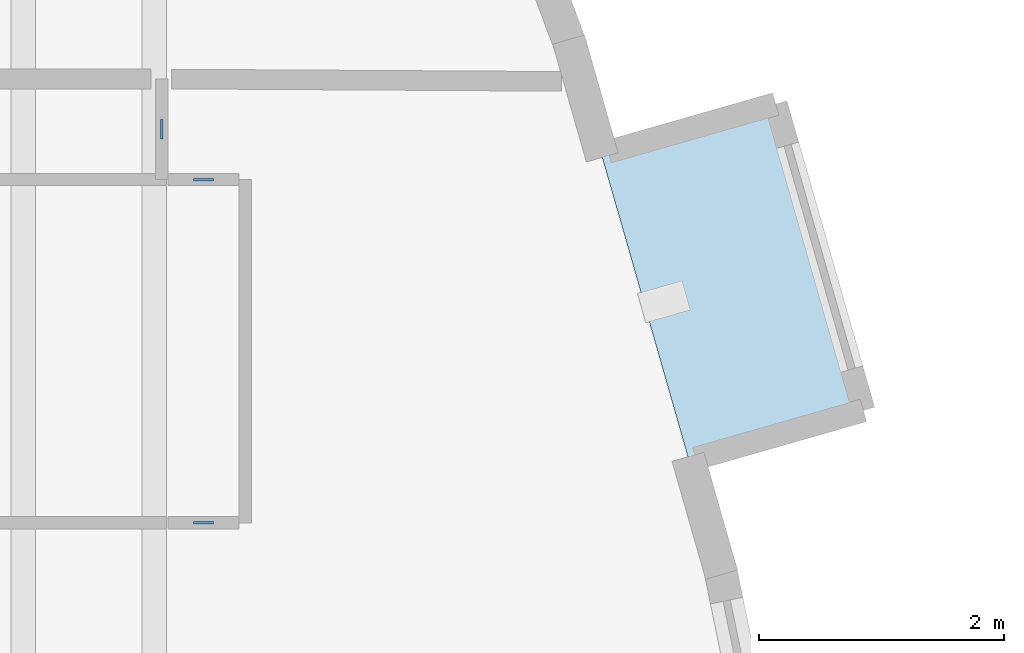
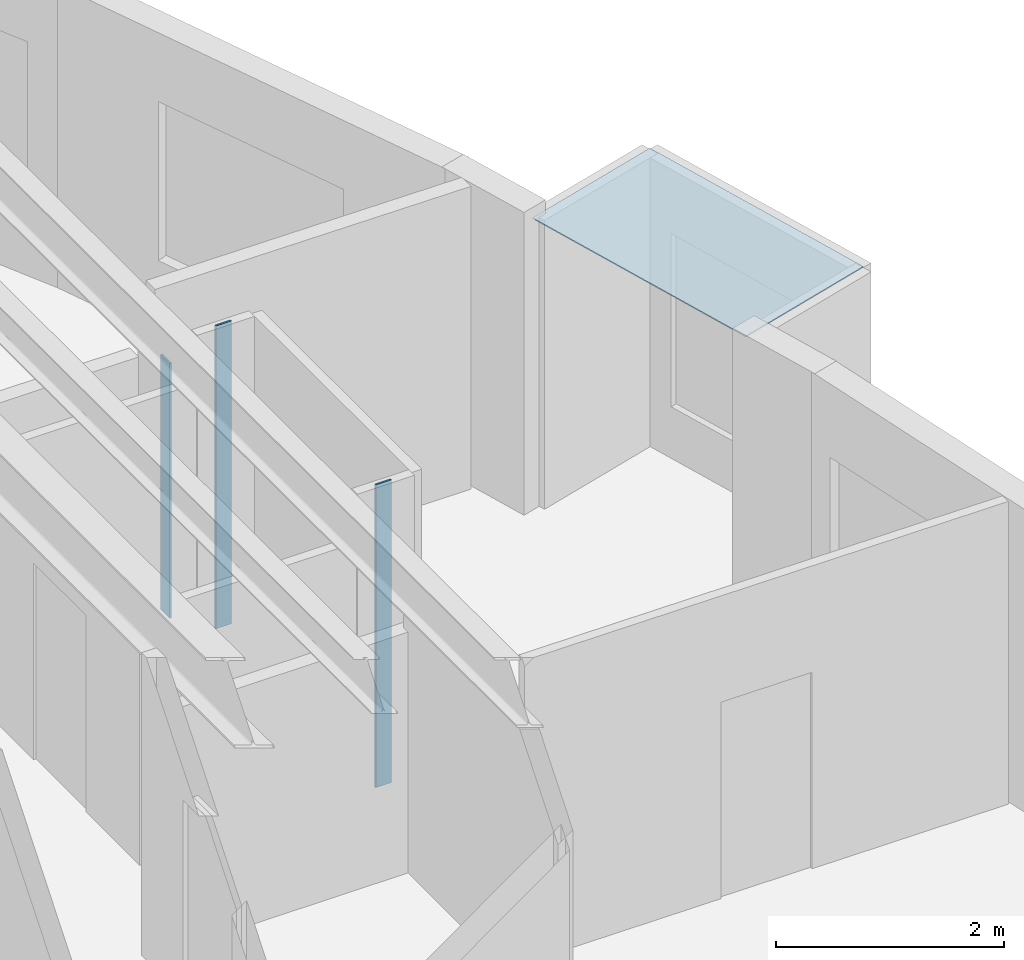
# One storey, part 2 of 9: 4 plates.
"""IFC4 building model written with IfcOpenShell, lengths in metres."""

from ifc_helpers import new_model, si_unit, direction, frame, origin, origin_2d, place, context, subcontext, project, spatial, polyline, rectangle, outline, extrude, material, layer, layer_set, type_object, element, save


model = new_model("IFC4")

# Units and contexts
model_context = context("Model", 3, precision=1e-05, world=origin(), true_north=direction((0.0, 1.0)))
body_context = subcontext(model_context, "Body", "Model", "MODEL_VIEW")
ifc_project = project(units=[si_unit("LENGTHUNIT", "METRE"), si_unit("AREAUNIT", "SQUARE_METRE"), si_unit("VOLUMEUNIT", "CUBIC_METRE"), si_unit("PLANEANGLEUNIT", "RADIAN"), si_unit("MASSUNIT", "GRAM", prefix="KILO")], contexts=[model_context])

# Site, building, storey
site_placement = place(None, origin())
site = spatial("IfcSite", under=ifc_project, at=site_placement, CompositionType="ELEMENT")
building_placement = place(site_placement, origin())
building = spatial("IfcBuilding", under=site, at=building_placement, Name="Miruveldt Soraemaru", CompositionType="ELEMENT")
storey_placement = place(building_placement, frame((0.0, 0.0, 138.89990234375)))
storey = spatial("IfcBuildingStorey", under=building, at=storey_placement, Name="L38", CompositionType="ELEMENT", Elevation=138.89990234375)

# Plates
ifc_material_1 = material(Name="Anodised aluminium EN AW-6063 T6", Category="aluminium")
ifc_layer_1 = layer(ifc_material_1, 0.02001953125, Name="Anodised aluminium EN AW-6063 T6", Category="aluminium")
ifc_layer_set_1 = layer_set([ifc_layer_1], Name="Anodised aluminium EN AW-6063 T6")
plate_type_1 = type_object("IfcPlateType", Name="PLT-PART-TRIM", PredefinedType="SHEET", material=ifc_layer_set_1)
plate_1_placement = place(storey_placement, frame((58.800048828125, 43.590087890625, 0.0), z_axis=(0.0, 0.0, 1.0), x_axis=(0.0, 1.0, 0.0)))
element("IfcPlate", 1, at=plate_1_placement, inside=storey, type_object=plate_type_1, Name="L38 Partition Step Corner Trim Plate 048", PredefinedType="SHEET", context=body_context, shape_type="SweptSolid", body=[
    extrude(rectangle(XDim=0.159912109375, YDim=0.02001953125, at=origin_2d()), origin(), (0.0, 0.0, 1.0), 2.722900390625),
])
for number, where, z_axis, x_axis, name in (
    (2, (59.139892578125, 40.3798828125, 0.0), (0.0, 0.0, 1.0), (1.0, 0.0, 0.0), "L38 Partition Step Corner Trim Plate 049"),
    (3, (59.139892578125, 43.179931640625, 0.0), (0.0, 0.0, 1.0), (-1.0, 0.0, 0.0), "L38 Partition Step Corner Trim Plate 051"),
):
    element("IfcPlate", number, at=place(storey_placement, frame(where, z_axis=z_axis, x_axis=x_axis)), inside=storey, type_object=plate_type_1, Name=name, PredefinedType="SHEET", context=body_context, shape_type="SweptSolid", body=[
        extrude(rectangle(XDim=0.159912109375, YDim=0.02001953125, at=origin_2d()), origin(), (0.0, 0.0, 1.0), 3.235107421875),
    ])
ifc_material_2 = material(Name="Standing-seam titanium-zinc sheet", Category="aluminium")
ifc_layer_2 = layer(ifc_material_2, 0.011962890625, Name="Standing-seam titanium-zinc sheet", Category="aluminium")
ifc_layer_set_2 = layer_set([ifc_layer_2], Name="Standing-seam titanium-zinc sheet")
plate_type_2 = type_object("IfcPlateType", Name="PLT-ZINC-12", PredefinedType="SHEET", material=ifc_layer_set_2)
plate_2_placement = place(storey_placement, frame((0.0, 0.0, 3.085205078125)))
element("IfcPlate", 4, at=plate_2_placement, inside=storey, type_object=plate_type_2, Name="L38 Bay Window Zinc Hood Sheet 2", PredefinedType="SHEET", context=body_context, shape_type="SweptSolid", body=[
    extrude(outline(polyline([(63.1005859375, 40.8896484375), (62.3857421875, 43.389404296875), (63.80859375, 43.79638671875), (64.523681640625, 41.296630859375), (63.1005859375, 40.8896484375)])), origin(), (0.0, 0.0, 1.0), 0.011962890625),
])

save(model, "model.ifc")
